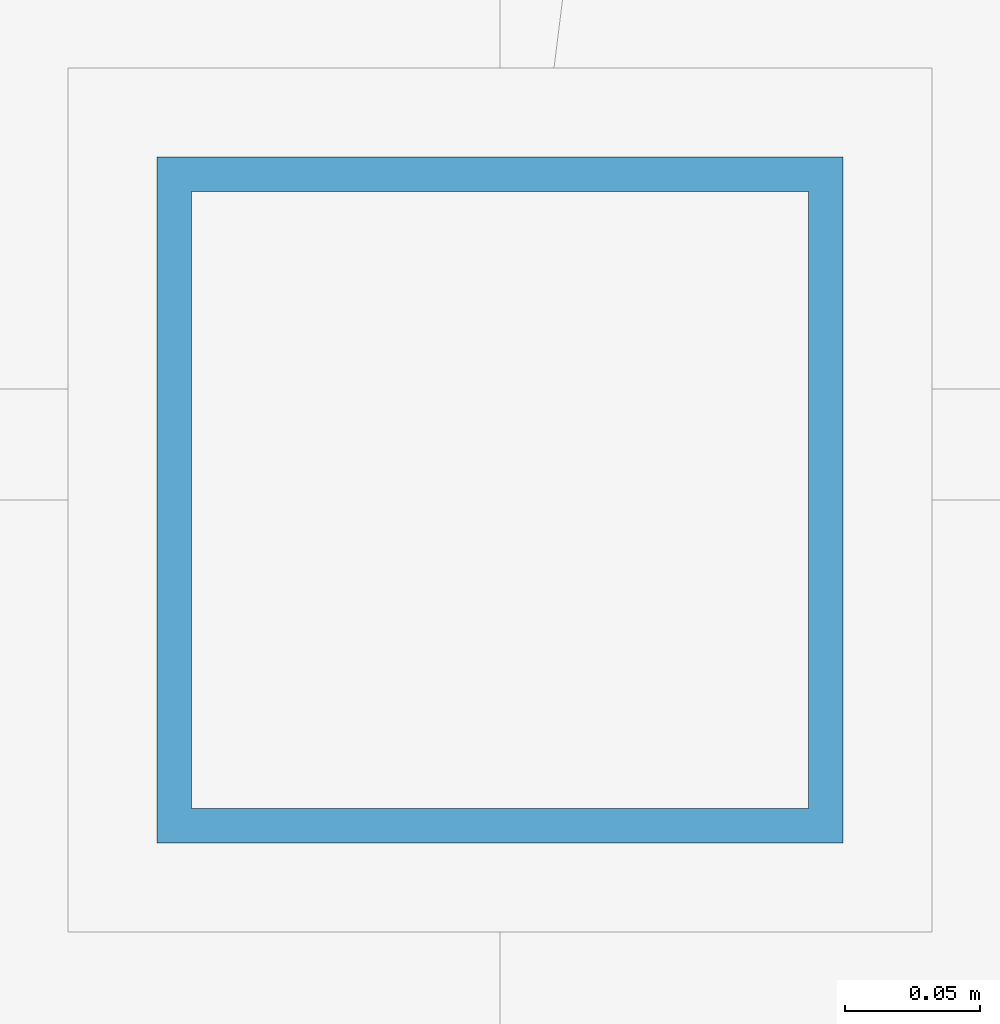
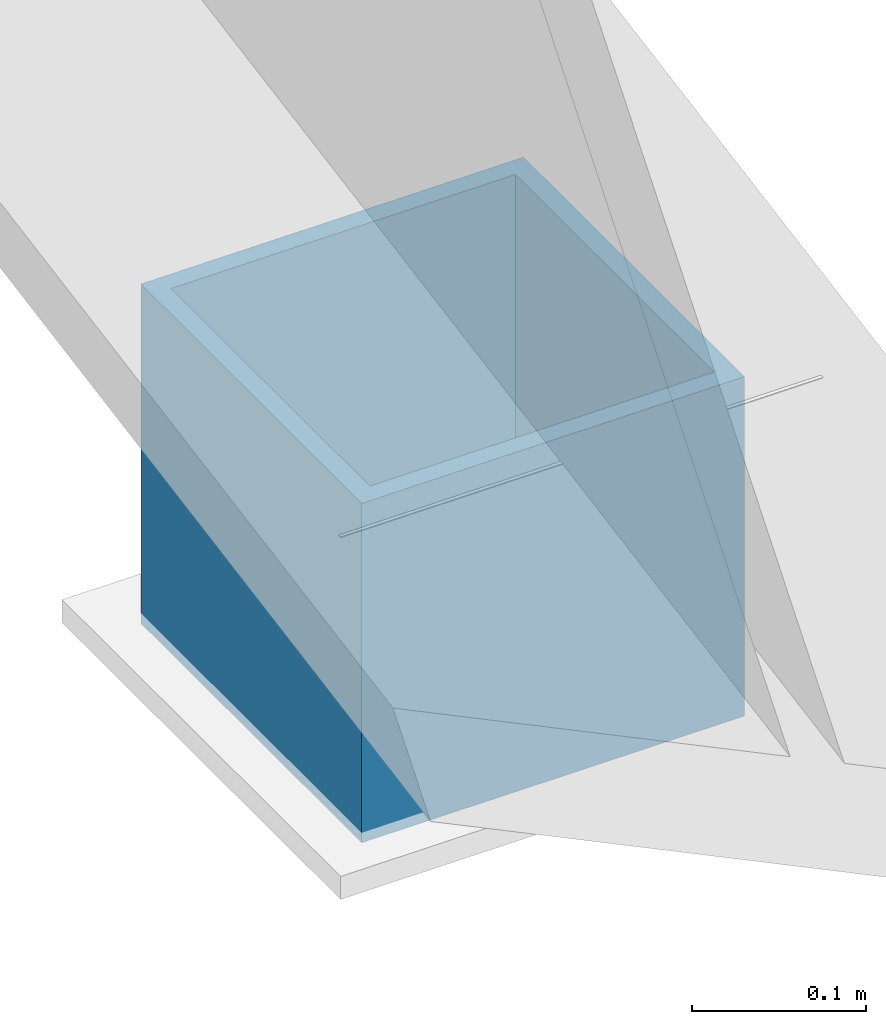
# One storey, part 9 of 52: 1 member.
"""IFC4 building model written with IfcOpenShell, lengths in metres."""

from ifc_helpers import new_model, si_unit, direction, frame, origin, origin_2d, place, context, subcontext, project, spatial, hollow_rectangle, extrude, material, material_profile, profile_set, type_object, element, save


model = new_model("IFC4")

# Units and contexts
model_context = context("Model", 3, precision=1e-05, world=origin(), true_north=direction((0.0, 1.0)))
body_context = subcontext(model_context, "Body", "Model", "MODEL_VIEW")
ifc_project = project(units=[si_unit("LENGTHUNIT", "METRE"), si_unit("AREAUNIT", "SQUARE_METRE"), si_unit("VOLUMEUNIT", "CUBIC_METRE"), si_unit("PLANEANGLEUNIT", "RADIAN"), si_unit("MASSUNIT", "GRAM", prefix="KILO")], contexts=[model_context])

# Site, building, storey
site_placement = place(None, origin())
site = spatial("IfcSite", under=ifc_project, at=site_placement, CompositionType="ELEMENT")
building_placement = place(site_placement, origin())
building = spatial("IfcBuilding", under=site, at=building_placement, Name="Vaelkrest Opera House", CompositionType="ELEMENT")
storey_placement = place(building_placement, frame((0.0, 0.0, 41.39990234375)))
storey = spatial("IfcBuildingStorey", under=building, at=storey_placement, Name="ROOF", CompositionType="ELEMENT", Elevation=41.39990234375)

# Member
ifc_material = material(Name="Steel A500 GrC", Category="steel")
ifc_material_profile = material_profile(ifc_material, hollow_rectangle(XDim=0.25390625, YDim=0.25390625, WallThickness=0.0126953125, at=origin_2d()), Name="HSS254X254X12.7")
ifc_profile_set = profile_set([ifc_material_profile], Name="Steel A500 GrC")
member_type = type_object("IfcMemberType", Name="TC04", PredefinedType="CHORD", material=ifc_profile_set)
member_placement = place(storey_placement, frame((-27.0, -55.800048828125, -17.501953125), z_axis=(0.0, 0.0, 1.0), x_axis=(1.0, 0.0, 0.0)))
element("IfcMember", 1, at=member_placement, inside=storey, type_object=member_type, Name="Ridge saddle post V1-S-01", PredefinedType="CHORD", context=body_context, shape_type="SweptSolid", body=[
    extrude(hollow_rectangle(XDim=0.25390625, YDim=0.25390625, WallThickness=0.0126953125, at=origin_2d()), origin(), (0.0, 0.0, 1.0), 0.238037109375),
])

save(model, "model.ifc")
